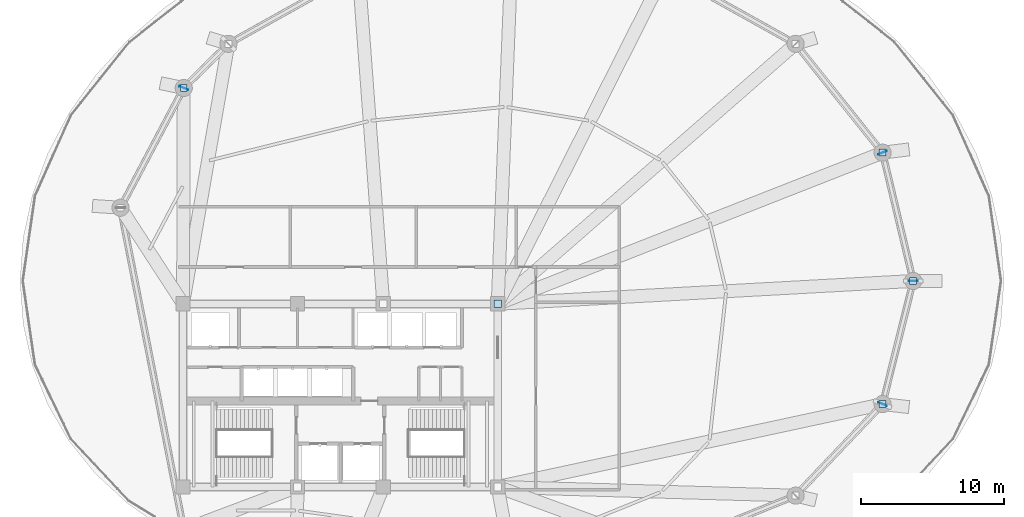
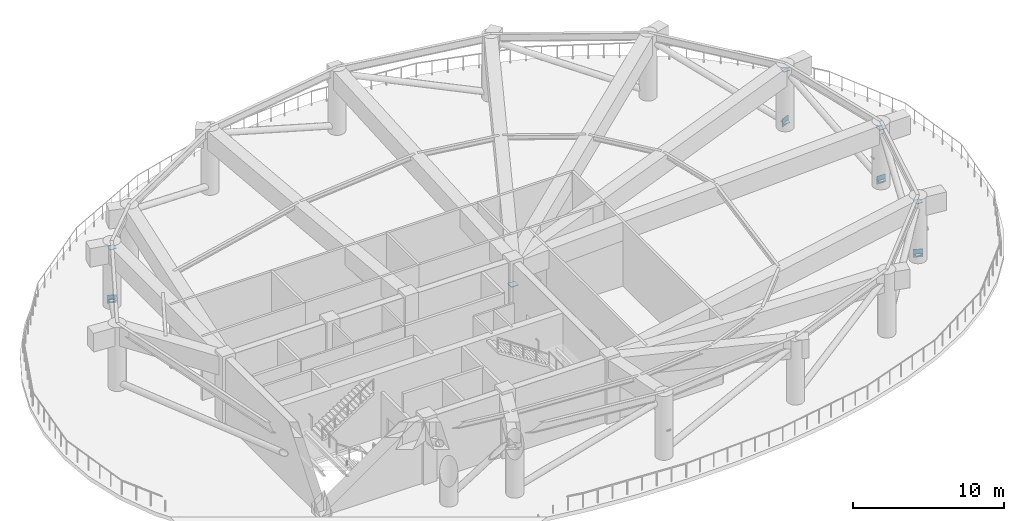
# One storey, part 4 of 9: 13 plates.
"""IFC4 building model written with IfcOpenShell, lengths in metres."""

from ifc_helpers import new_model, si_unit, direction, frame, origin, origin_2d, place, context, subcontext, project, spatial, rectangle, extrude, material, layer, layer_set, type_object, element, save


model = new_model("IFC4")

# Units and contexts
model_context = context("Model", 3, precision=1e-05, world=origin(), true_north=direction((0.0, 1.0)))
body_context = subcontext(model_context, "Body", "Model", "MODEL_VIEW")
ifc_project = project(units=[si_unit("LENGTHUNIT", "METRE"), si_unit("AREAUNIT", "SQUARE_METRE"), si_unit("VOLUMEUNIT", "CUBIC_METRE"), si_unit("PLANEANGLEUNIT", "RADIAN"), si_unit("MASSUNIT", "GRAM", prefix="KILO")], contexts=[model_context])

# Site, building, storey
site_placement = place(None, origin())
site = spatial("IfcSite", under=ifc_project, at=site_placement, CompositionType="ELEMENT")
building_placement = place(site_placement, origin())
building = spatial("IfcBuilding", under=site, at=building_placement, Name="Kazevale Care Tower and Concert Hall", CompositionType="ELEMENT")
storey_placement = place(building_placement, frame((0.0, 0.0, 181.800048828125)))
storey = spatial("IfcBuildingStorey", under=building, at=storey_placement, Name="L48", CompositionType="ELEMENT", Elevation=181.800048828125)

# Plates
ifc_material = material(Name="Steel ASTM A572 Gr 50", Category="steel")
ifc_layer_1 = layer(ifc_material, 0.02490234375)
ifc_layer_set_1 = layer_set([ifc_layer_1], Name="Steel ASTM A572 Gr 50")
plate_type_1 = type_object("IfcPlateType", Name="Hollow Section End Cap Plate 25mm", PredefinedType="USERDEFINED", material=ifc_layer_set_1)
for number, where, z_axis, x_axis, name in (
    (1, (73.050048828125, 38.0, 0.387451171875), (0.0, 0.0, 1.0), (1.0, 0.0, 0.0), "brace:L48:belt:01:cap0"),
    (2, (70.909912109375, 46.969970703125, 4.597412109375), (0.0, 0.0, 1.0), (1.0, 0.0, 0.0), "brace:L48:belt:01:cap1"),
    (3, (70.909912109375, 46.969970703125, 0.387451171875), (0.0, 0.0, 1.0), (1.0, 0.0, 0.0), "brace:L48:belt:02:cap0"),
    (4, (22.050048828125, 51.489990234375, 4.597412109375), (0.0, 0.0, 1.0), (1.0, 0.0, 0.0), "brace:L48:belt:07:cap1"),
    (5, (22.050048828125, 51.489990234375, 0.387451171875), (0.0, 0.0, 1.0), (1.0, 0.0, 0.0), "brace:L48:belt:08:cap0"),
    (6, (70.909912109375, 29.389892578125, 4.597412109375), (0.0, 0.0, 1.0), (1.0, 0.0, 0.0), "brace:L48:belt:15:cap1"),
    (7, (70.909912109375, 29.389892578125, 0.387451171875), (0.0, 0.0, 1.0), (1.0, 0.0, 0.0), "brace:L48:belt:16:cap0"),
    (8, (73.050048828125, 38.0, 4.597412109375), (0.0, 0.0, 1.0), (1.0, 0.0, 0.0), "brace:L48:belt:16:cap1"),
):
    element("IfcPlate", number, at=place(storey_placement, frame(where, z_axis=z_axis, x_axis=x_axis)), inside=storey, type_object=plate_type_1, Name=name, ObjectType="END_CAP_PLATE", PredefinedType="USERDEFINED", context=body_context, shape_type="SweptSolid", body=[
        extrude(rectangle(XDim=0.47998046875, YDim=0.47998046875, at=origin_2d()), origin(), (0.0, 0.0, 1.0), 0.02490234375),
    ])
plate_placement = place(storey_placement, frame((44.0, 36.39990234375, 3.08740234375), z_axis=(0.0, 0.0, 1.0), x_axis=(1.0, 0.0, 0.0)))
element("IfcPlate", 9, at=plate_placement, inside=storey, type_object=plate_type_1, Name="brace:L48:outrig:1:cap0", ObjectType="END_CAP_PLATE", PredefinedType="USERDEFINED", context=body_context, shape_type="SweptSolid", body=[
    extrude(rectangle(XDim=0.5400390625, YDim=0.5400390625, at=origin_2d()), origin(), (0.0, 0.0, 1.0), 0.02490234375),
])
ifc_layer_2 = layer(ifc_material, 0.0400390625)
ifc_layer_set_2 = layer_set([ifc_layer_2], Name="Steel ASTM A572 Gr 50")
plate_type_2 = type_object("IfcPlateType", Name="Outrigger & Truss Gusset Plate 40mm", PredefinedType="USERDEFINED", material=ifc_layer_set_2)
for number, where, z_axis, x_axis, name in (
    (10, (73.050048828125, 38.0, 0.125), (0.0, 0.0, 1.0), (1.0, 0.0, 0.0), "plate:L48:gusset:01"),
    (11, (70.909912109375, 46.969970703125, 0.125), (0.0, 0.0, 1.0), (0.923879532511, 0.382683432365, 0.0), "plate:L48:gusset:02"),
    (12, (22.050048828125, 51.489990234375, 0.125), (0.0, 0.0, 1.0), (-0.923879532511, 0.382683432365, 0.0), "plate:L48:gusset:08"),
    (13, (70.909912109375, 29.389892578125, 0.125), (0.0, 0.0, 1.0), (0.923879532511, -0.382683432365, 0.0), "plate:L48:gusset:16"),
):
    element("IfcPlate", number, at=place(storey_placement, frame(where, z_axis=z_axis, x_axis=x_axis)), inside=storey, type_object=plate_type_2, Name=name, ObjectType="GUSSET_PLATE", PredefinedType="USERDEFINED", context=body_context, shape_type="SweptSolid", body=[
        extrude(rectangle(XDim=0.64990234375, YDim=0.0400390625, at=origin_2d()), origin(), (0.0, 0.0, 1.0), 0.64990234375),
    ])

save(model, "model.ifc")
